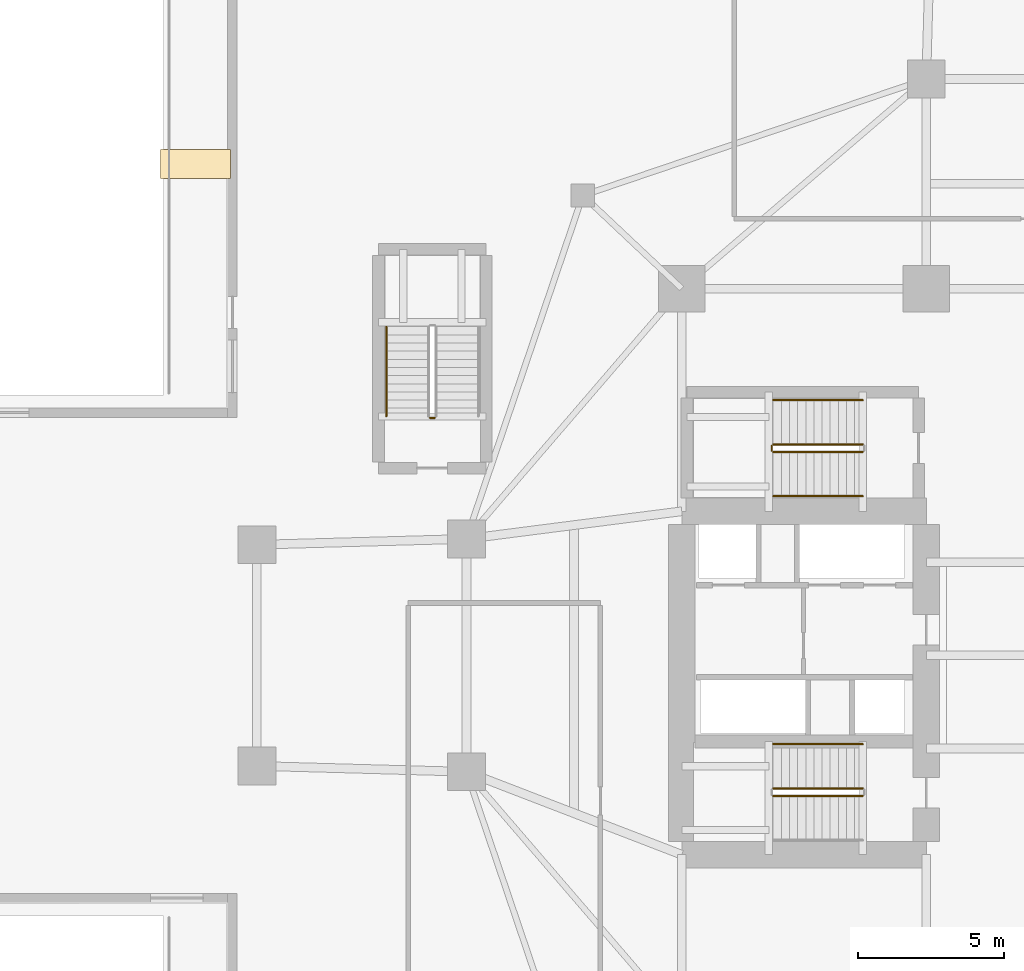
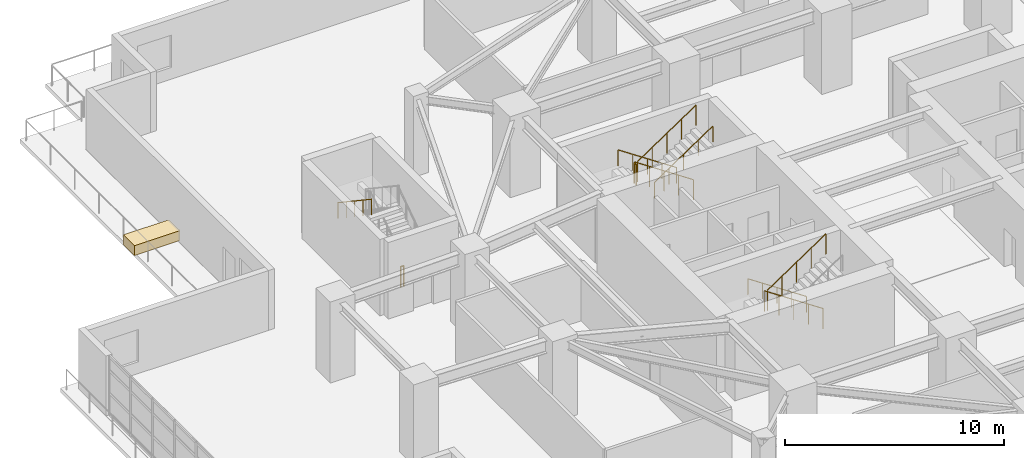
# One storey, part 20 of 23: 10 railings, 1 covering.
"""IFC4 building model written with IfcOpenShell, lengths in metres."""

import ifcopenshell
import ifcopenshell.guid

model = None  # the IFC model being written
_history = None  # IfcOwnerHistory: only IFC2X3 demands one
_inside = {}  # id of a spatial element -> (the spatial element, [elements in it])
_under = {}  # id of a project, library or spatial element -> (it, [spatial elements below it])
_declared = {}  # id of a project -> (the project, [libraries it declares])
_typed = {}  # id of a type object -> (the type object, [elements of that type])
_made_of = {}  # id of a material, layer set ... -> (it, [elements and type objects made of it])


def new_model(schema):
    """Start an empty IFC model of exactly this schema.

    Asked for "IFC4X3", IfcOpenShell would pick the latest addendum, in which some entities
    have other attributes; the version numbers below select the first issue.
    IFC2X3 requires an IfcOwnerHistory on every rooted entity: one is made here for all.
    """
    global model, _history
    if schema == "IFC4X3":
        model = ifcopenshell.file(schema_version=(4, 3, 0, 0))
    else:
        model = ifcopenshell.file(schema=schema)
    _inside.clear()
    _under.clear()
    _declared.clear()
    _typed.clear()
    _made_of.clear()
    _history = None
    if model.schema == "IFC2X3":
        org = make("IfcOrganization", Name="unknown")
        user = make(
            "IfcPersonAndOrganization",
            ThePerson=make("IfcPerson", FamilyName="unknown"),
            TheOrganization=org,
        )
        app = make(
            "IfcApplication",
            ApplicationDeveloper=org,
            Version="unknown",
            ApplicationFullName="unknown",
            ApplicationIdentifier="unknown",
        )
        _history = make(
            "IfcOwnerHistory",
            OwningUser=user,
            OwningApplication=app,
            ChangeAction="ADDED",
            CreationDate=0,
        )
    return model


def make(cls, **values):
    """One entity of the class cls with the attributes given. An attribute that is None is left unset."""
    return model.create_entity(
        cls, **{name: value for name, value in values.items() if value is not None}
    )


def rooted(cls, **values):
    """An entity with a GlobalId (a new one), such as an element, a storey or a relation."""
    return make(cls, GlobalId=ifcopenshell.guid.new(), OwnerHistory=_history, **values)


def si_unit(unit_type, name, prefix=None):
    """IfcSIUnit, for example si_unit("LENGTHUNIT", "METRE", prefix="MILLI")."""
    return make("IfcSIUnit", UnitType=unit_type, Prefix=prefix, Name=name)


def assignment(units):
    """IfcUnitAssignment: the units of a project."""
    return None if units is None else make("IfcUnitAssignment", Units=units)


def point(xyz):
    """IfcCartesianPoint."""
    return None if xyz is None else make("IfcCartesianPoint", Coordinates=xyz)


def direction(xyz):
    """IfcDirection."""
    return None if xyz is None else make("IfcDirection", DirectionRatios=xyz)


def frame(location, z_axis=None, x_axis=None):
    """IfcAxis2Placement3D, a coordinate frame: its origin and axes. An axis left out is left unset."""
    return make(
        "IfcAxis2Placement3D",
        Location=point(location),
        Axis=direction(z_axis),
        RefDirection=direction(x_axis),
    )


def frame_2d(location, x_axis=None):
    """IfcAxis2Placement2D, a coordinate frame in the plane: its origin and x axis."""
    return make(
        "IfcAxis2Placement2D", Location=point(location), RefDirection=direction(x_axis)
    )


def origin():
    """The frame at (0, 0, 0) with its axes left unset."""
    return frame((0.0, 0.0, 0.0))


def origin_2d():
    """The frame at (0, 0) in the plane with its x axis left unset."""
    return frame_2d((0.0, 0.0))


def place(relative_to, where):
    """IfcLocalPlacement: puts the frame where relative to a parent placement (None: the world)."""
    return make(
        "IfcLocalPlacement", PlacementRelTo=relative_to, RelativePlacement=where
    )


def context(
    kind, dimensions, precision=None, world=None, true_north=None, identifier=None
):
    """IfcGeometricRepresentationContext, for example the 3D "Model" context."""
    return make(
        "IfcGeometricRepresentationContext",
        ContextIdentifier=identifier,
        ContextType=kind,
        CoordinateSpaceDimension=dimensions,
        Precision=precision,
        WorldCoordinateSystem=world,
        TrueNorth=true_north,
    )


def subcontext(parent, identifier, kind, view, scale=None):
    """IfcGeometricRepresentationSubContext, for example "Body" below "Model"."""
    return make(
        "IfcGeometricRepresentationSubContext",
        ContextIdentifier=identifier,
        ContextType=kind,
        ParentContext=parent,
        TargetScale=scale,
        TargetView=view,
    )


def project(units=None, contexts=None):
    """IfcProject with its units and contexts."""
    return rooted(
        "IfcProject",
        Name="project",
        RepresentationContexts=contexts,
        UnitsInContext=assignment(units),
    )


def spatial(cls, under=None, at=None, **own):
    """A site, building, storey or space (cls), placed at a placement, below another one or the project."""
    s = rooted(cls, ObjectPlacement=at, **own)
    if under is not None:
        _under.setdefault(under.id(), (under, []))[1].append(s)
    return s


def profile(cls, at=None, kind="AREA", **sizes):
    """A parametric profile (cls). Its sizes go by their IFC names, for example OverallWidth=200.0."""
    return make(cls, ProfileType=kind, Position=at, **sizes)


def rectangle(**sizes):
    """IfcRectangleProfileDef."""
    return profile("IfcRectangleProfileDef", **sizes)


def circle(**sizes):
    """IfcCircleProfileDef."""
    return profile("IfcCircleProfileDef", **sizes)


def extrude(swept, where, along, depth):
    """IfcExtrudedAreaSolid: the profile swept, set in the frame where, extruded along a direction by depth."""
    return make(
        "IfcExtrudedAreaSolid",
        SweptArea=swept,
        Position=where,
        ExtrudedDirection=direction(along),
        Depth=depth,
    )


def shape(context_of_items, identifier, shape_type, items):
    """IfcShapeRepresentation: the items that make up one representation, for example the "Body"."""
    return make(
        "IfcShapeRepresentation",
        ContextOfItems=context_of_items,
        RepresentationIdentifier=identifier,
        RepresentationType=shape_type,
        Items=items,
    )


def material(Name=None, Category=None):
    """IfcMaterial."""
    return make("IfcMaterial", Name=Name, Category=Category)


def layer(
    of_material, thickness, ventilated=None, Name=None, Category=None, Priority=None
):
    """IfcMaterialLayer: one layer of a wall or slab, of a material (None: an air gap)."""
    return make(
        "IfcMaterialLayer",
        Material=of_material,
        LayerThickness=thickness,
        IsVentilated=ventilated,
        Name=Name,
        Category=Category,
        Priority=Priority,
    )


def layer_set(layers, Name=None):
    """IfcMaterialLayerSet."""
    return make("IfcMaterialLayerSet", MaterialLayers=layers, LayerSetName=Name)


def made_of(thing, what):
    """Note that an element or type object is made of a material, layer set ...; save() writes the relation."""
    if what is not None:
        _made_of.setdefault(what.id(), (what, []))[1].append(thing)
    return thing


def type_object(cls, material=None, **own):
    """A type object (cls), such as IfcWallType, which elements share."""
    return made_of(rooted(cls, **own), material)


def element(
    cls,
    number,
    at=None,
    inside=None,
    cuts=None,
    type_object=None,
    material=None,
    context=None,
    identifier="Body",
    shape_type=None,
    held_by="IfcProductDefinitionShape",
    body=None,
    shapes=None,
    **own,
):
    """One element of the class cls, such as IfcWall. Its Tag is "e" and its number.

    at: its placement. inside: the storey or other place that contains it. cuts: it is an
    opening in that element (IfcRelVoidsElement). A single representation is given by context,
    identifier, shape_type and body (its items); several are given by shapes. held_by: the class
    of the entity that holds the representations. save() writes the other relations.
    """
    e = rooted(cls, Tag="e%d" % number, ObjectPlacement=at, **own)
    if body is not None:
        shapes = [shape(context, identifier, shape_type, body)]
    if shapes is not None:
        e.Representation = make(held_by, Representations=shapes)
    if inside is not None:
        _inside.setdefault(inside.id(), (inside, []))[1].append(e)
    if cuts is not None:
        rooted(
            "IfcRelVoidsElement", RelatingBuildingElement=cuts, RelatedOpeningElement=e
        )
    if type_object is not None:
        _typed.setdefault(type_object.id(), (type_object, []))[1].append(e)
    return made_of(e, material)


def aggregate(whole, parts):
    """IfcRelAggregates: a whole, such as a stair, and the parts it consists of."""
    return rooted("IfcRelAggregates", RelatingObject=whole, RelatedObjects=parts)


def save(model, path):
    """Write the relations noted so far, then the file.

    IfcRelAggregates (storeys below a building ...), IfcRelContainedInSpatialStructure (elements
    in a storey), IfcRelDefinesByType, IfcRelAssociatesMaterial and IfcRelDeclares: one each for
    every whole, place, type object, material and project.
    """
    for whole, parts in _under.values():
        aggregate(whole, parts)
    for where, things in _inside.values():
        rooted(
            "IfcRelContainedInSpatialStructure",
            RelatedElements=things,
            RelatingStructure=where,
        )
    for kind, things in _typed.values():
        rooted("IfcRelDefinesByType", RelatedObjects=things, RelatingType=kind)
    for what, things in _made_of.values():
        rooted("IfcRelAssociatesMaterial", RelatedObjects=things, RelatingMaterial=what)
    for by, libraries in _declared.values():
        rooted("IfcRelDeclares", RelatingContext=by, RelatedDefinitions=libraries)
    model.write(path)


model = new_model("IFC4")

# Units and contexts
model_context = context("Model", 3, precision=1e-05, world=origin(), true_north=direction((0.0, 1.0)))
body_context = subcontext(model_context, "Body", "Model", "MODEL_VIEW")
ifc_project = project(units=[si_unit("LENGTHUNIT", "METRE"), si_unit("AREAUNIT", "SQUARE_METRE"), si_unit("VOLUMEUNIT", "CUBIC_METRE"), si_unit("PLANEANGLEUNIT", "RADIAN"), si_unit("MASSUNIT", "GRAM", prefix="KILO")], contexts=[model_context])

# Site, building, storey
site_placement = place(None, origin())
site = spatial("IfcSite", under=ifc_project, at=site_placement, CompositionType="ELEMENT")
building_placement = place(site_placement, origin())
building = spatial("IfcBuilding", under=site, at=building_placement, Name="Qingluan Cross Belvedere", CompositionType="ELEMENT")
storey_placement = place(building_placement, frame((0.0, 0.0, 10.199951171875)))
storey = spatial("IfcBuildingStorey", under=building, at=storey_placement, Name="L03", CompositionType="ELEMENT", Elevation=10.199951171875)

# Railings
ifc_material_1 = material(Name="Brushed stainless steel tubular handrail", Category="steel")
railing_type_1 = type_object("IfcRailingType", Name="StairPitchHandrail_900", PredefinedType="HANDRAIL", material=ifc_material_1)
for number, where, name in (
    (1, (-6.179931640625, -3.050048828125, 0.1875), "L03 ST1 stair handrail 1"),
    (2, (-6.179931640625, 8.77001953125, 0.1875), "L03 ST3 stair handrail 1"),
):
    element("IfcRailing", number, at=place(storey_placement, frame(where)), inside=storey, type_object=railing_type_1, Name=name, PredefinedType="HANDRAIL", context=body_context, shape_type="SweptSolid", body=[
        extrude(circle(Radius=0.02392578125, at=origin_2d()), frame((0.0, 0.0, 0.8759765625), z_axis=(-0.830913701846, 0.0, 0.55640131208), x_axis=(0.0, -1.0, 0.0)), (0.0, 0.0, 1.0), 3.706787109375),
        extrude(circle(Radius=0.02099609375, at=origin_2d()), origin(), (0.0, 0.0, 1.0), 0.851806640625),
        extrude(circle(Radius=0.02099609375, at=origin_2d()), frame((-0.77001953125, 0.0, 0.515625)), (0.0, 0.0, 1.0), 0.851806640625),
        extrude(circle(Radius=0.02099609375, at=origin_2d()), frame((-1.5400390625, 0.0, 1.03125)), (0.0, 0.0, 1.0), 0.851806640625),
        extrude(circle(Radius=0.02099609375, at=origin_2d()), frame((-2.31005859375, 0.0, 1.546875)), (0.0, 0.0, 1.0), 0.851806640625),
        extrude(circle(Radius=0.02099609375, at=origin_2d()), frame((-3.080078125, 0.0, 2.0625)), (0.0, 0.0, 1.0), 0.851806640625),
    ])
railing_1_placement = place(storey_placement, frame((-9.260009765625, 5.469970703125, 2.4375)))
element("IfcRailing", 3, at=railing_1_placement, inside=storey, type_object=railing_type_1, Name="L03 ST3 stair handrail 2", PredefinedType="HANDRAIL", context=body_context, shape_type="SweptSolid", body=[
    extrude(circle(Radius=0.02392578125, at=origin_2d()), frame((0.0, 0.0, 0.8759765625), z_axis=(0.830913701846, 0.0, 0.55640131208), x_axis=(0.0, 1.0, 0.0)), (0.0, 0.0, 1.0), 3.706787109375),
    extrude(circle(Radius=0.02099609375, at=origin_2d()), origin(), (0.0, 0.0, 1.0), 0.851806640625),
    extrude(circle(Radius=0.02099609375, at=origin_2d()), frame((0.77001953125, 0.0, 0.515625)), (0.0, 0.0, 1.0), 0.851806640625),
    extrude(circle(Radius=0.02099609375, at=origin_2d()), frame((1.5400390625, 0.0, 1.03125)), (0.0, 0.0, 1.0), 0.851806640625),
    extrude(circle(Radius=0.02099609375, at=origin_2d()), frame((2.31005859375, 0.0, 1.546875)), (0.0, 0.0, 1.0), 0.851806640625),
    extrude(circle(Radius=0.02099609375, at=origin_2d()), frame((3.080078125, 0.0, 2.0625)), (0.0, 0.0, 1.0), 0.851806640625),
])
railing_2_placement = place(storey_placement, frame((-22.550048828125, 11.2900390625, 2.4375)))
element("IfcRailing", 4, at=railing_2_placement, inside=storey, type_object=railing_type_1, Name="L03 ST5 stair handrail 2", PredefinedType="HANDRAIL", context=body_context, shape_type="SweptSolid", body=[
    extrude(circle(Radius=0.02392578125, at=origin_2d()), frame((0.0, 0.0, 0.8759765625), z_axis=(0.0, -0.830913701846, 0.55640131208), x_axis=(1.0, 0.0, 0.0)), (0.0, 0.0, 1.0), 3.706787109375),
    extrude(circle(Radius=0.02099609375, at=origin_2d()), origin(), (0.0, 0.0, 1.0), 0.851806640625),
    extrude(circle(Radius=0.02099609375, at=origin_2d()), frame((0.0, -0.77001953125, 0.515625)), (0.0, 0.0, 1.0), 0.851806640625),
    extrude(circle(Radius=0.02099609375, at=origin_2d()), frame((0.0, -1.5400390625, 1.03125)), (0.0, 0.0, 1.0), 0.851806640625),
    extrude(circle(Radius=0.02099609375, at=origin_2d()), frame((0.0, -2.31005859375, 1.546875)), (0.0, 0.0, 1.0), 0.851806640625),
    extrude(circle(Radius=0.02099609375, at=origin_2d()), frame((0.0, -3.080078125, 2.0625)), (0.0, 0.0, 1.0), 0.851806640625),
])
ifc_material_2 = material(Name="Painted steel stair well guard", Category="steel")
railing_type_2 = type_object("IfcRailingType", Name="StairWellGuard_1150", PredefinedType="BALUSTRADE", material=ifc_material_2)
railing_3_placement = place(storey_placement, frame((-6.179931640625, -4.570068359375, 0.1875)))
element("IfcRailing", 5, at=railing_3_placement, inside=storey, type_object=railing_type_2, Name="L03 ST1 stair guard 1", PredefinedType="BALUSTRADE", context=body_context, shape_type="SweptSolid", body=[
    extrude(circle(Radius=0.02392578125, at=origin_2d()), frame((0.0, 0.0, 1.1259765625), z_axis=(-0.830913701846, 0.0, 0.55640131208), x_axis=(0.0, -1.0, 0.0)), (0.0, 0.0, 1.0), 3.706787109375),
    extrude(circle(Radius=0.02099609375, at=origin_2d()), origin(), (0.0, 0.0, 1.0), 1.101806640625),
    extrude(circle(Radius=0.02099609375, at=origin_2d()), frame((-0.77001953125, 0.0, 0.515625)), (0.0, 0.0, 1.0), 1.101806640625),
    extrude(circle(Radius=0.02099609375, at=origin_2d()), frame((-1.5400390625, 0.0, 1.03125)), (0.0, 0.0, 1.0), 1.101806640625),
    extrude(circle(Radius=0.02099609375, at=origin_2d()), frame((-2.31005859375, 0.0, 1.546875)), (0.0, 0.0, 1.0), 1.101806640625),
    extrude(circle(Radius=0.02099609375, at=origin_2d()), frame((-3.080078125, 0.0, 2.0625)), (0.0, 0.0, 1.0), 1.101806640625),
])
railing_4_placement = place(storey_placement, frame((-9.260009765625, -4.830078125, 2.4375)))
element("IfcRailing", 6, at=railing_4_placement, inside=storey, type_object=railing_type_2, Name="L03 ST1 stair guard 3", PredefinedType="BALUSTRADE", context=body_context, shape_type="SweptSolid", body=[
    extrude(circle(Radius=0.02392578125, at=origin_2d()), frame((0.0, 0.0, 1.1259765625), z_axis=(0.830913701846, 0.0, 0.55640131208), x_axis=(0.0, 1.0, 0.0)), (0.0, 0.0, 1.0), 3.706787109375),
    extrude(circle(Radius=0.02099609375, at=origin_2d()), origin(), (0.0, 0.0, 1.0), 1.101806640625),
    extrude(circle(Radius=0.02099609375, at=origin_2d()), frame((0.77001953125, 0.0, 0.515625)), (0.0, 0.0, 1.0), 1.101806640625),
    extrude(circle(Radius=0.02099609375, at=origin_2d()), frame((1.5400390625, 0.0, 1.03125)), (0.0, 0.0, 1.0), 1.101806640625),
    extrude(circle(Radius=0.02099609375, at=origin_2d()), frame((2.31005859375, 0.0, 1.546875)), (0.0, 0.0, 1.0), 1.101806640625),
    extrude(circle(Radius=0.02099609375, at=origin_2d()), frame((3.080078125, 0.0, 2.0625)), (0.0, 0.0, 1.0), 1.101806640625),
])
railing_5_placement = place(storey_placement, frame((-6.179931640625, 7.25, 0.1875)))
element("IfcRailing", 7, at=railing_5_placement, inside=storey, type_object=railing_type_2, Name="L03 ST3 stair guard 1", PredefinedType="BALUSTRADE", context=body_context, shape_type="SweptSolid", body=[
    extrude(circle(Radius=0.02392578125, at=origin_2d()), frame((0.0, 0.0, 1.1259765625), z_axis=(-0.830913701846, 0.0, 0.55640131208), x_axis=(0.0, -1.0, 0.0)), (0.0, 0.0, 1.0), 3.706787109375),
    extrude(circle(Radius=0.02099609375, at=origin_2d()), origin(), (0.0, 0.0, 1.0), 1.101806640625),
    extrude(circle(Radius=0.02099609375, at=origin_2d()), frame((-0.77001953125, 0.0, 0.515625)), (0.0, 0.0, 1.0), 1.101806640625),
    extrude(circle(Radius=0.02099609375, at=origin_2d()), frame((-1.5400390625, 0.0, 1.03125)), (0.0, 0.0, 1.0), 1.101806640625),
    extrude(circle(Radius=0.02099609375, at=origin_2d()), frame((-2.31005859375, 0.0, 1.546875)), (0.0, 0.0, 1.0), 1.101806640625),
    extrude(circle(Radius=0.02099609375, at=origin_2d()), frame((-3.080078125, 0.0, 2.0625)), (0.0, 0.0, 1.0), 1.101806640625),
])
railing_6_placement = place(storey_placement, frame((-9.31005859375, 7.199951171875, 2.25)))
element("IfcRailing", 8, at=railing_6_placement, inside=storey, type_object=railing_type_2, Name="L03 ST3 stair guard 2", PredefinedType="BALUSTRADE", context=body_context, shape_type="SweptSolid", body=[
    extrude(circle(Radius=0.02392578125, at=origin_2d()), frame((0.0, 0.0, 1.1259765625), z_axis=(0.0, -1.0, 0.0), x_axis=(1.0, 0.0, 0.0)), (0.0, 0.0, 1.0), 0.159912109375),
    extrude(circle(Radius=0.02099609375, at=origin_2d()), origin(), (0.0, 0.0, 1.0), 1.101806640625),
    extrude(circle(Radius=0.02099609375, at=origin_2d()), frame((0.0, -0.159912109375, 0.0)), (0.0, 0.0, 1.0), 1.101806640625),
])
railing_7_placement = place(storey_placement, frame((-9.260009765625, 6.989990234375, 2.4375)))
element("IfcRailing", 9, at=railing_7_placement, inside=storey, type_object=railing_type_2, Name="L03 ST3 stair guard 3", PredefinedType="BALUSTRADE", context=body_context, shape_type="SweptSolid", body=[
    extrude(circle(Radius=0.02392578125, at=origin_2d()), frame((0.0, 0.0, 1.1259765625), z_axis=(0.830913701846, 0.0, 0.55640131208), x_axis=(0.0, 1.0, 0.0)), (0.0, 0.0, 1.0), 3.706787109375),
    extrude(circle(Radius=0.02099609375, at=origin_2d()), origin(), (0.0, 0.0, 1.0), 1.101806640625),
    extrude(circle(Radius=0.02099609375, at=origin_2d()), frame((0.77001953125, 0.0, 0.515625)), (0.0, 0.0, 1.0), 1.101806640625),
    extrude(circle(Radius=0.02099609375, at=origin_2d()), frame((1.5400390625, 0.0, 1.03125)), (0.0, 0.0, 1.0), 1.101806640625),
    extrude(circle(Radius=0.02099609375, at=origin_2d()), frame((2.31005859375, 0.0, 1.546875)), (0.0, 0.0, 1.0), 1.101806640625),
    extrude(circle(Radius=0.02099609375, at=origin_2d()), frame((3.080078125, 0.0, 2.0625)), (0.0, 0.0, 1.0), 1.101806640625),
])
railing_8_placement = place(storey_placement, frame((-20.889892578125, 8.159912109375, 0.0)))
element("IfcRailing", 10, at=railing_8_placement, inside=storey, type_object=railing_type_2, Name="L03 ST5 stair guard 4", PredefinedType="BALUSTRADE", context=body_context, shape_type="SweptSolid", body=[
    extrude(circle(Radius=0.02392578125, at=origin_2d()), frame((0.0, 0.0, 1.1259765625), z_axis=(-1.0, 0.0, 0.0), x_axis=(0.0, -1.0, 0.0)), (0.0, 0.0, 1.0), 0.16015625),
    extrude(circle(Radius=0.02099609375, at=origin_2d()), origin(), (0.0, 0.0, 1.0), 1.101806640625),
    extrude(circle(Radius=0.02099609375, at=origin_2d()), frame((-0.16015625, 0.0, 0.0)), (0.0, 0.0, 1.0), 1.101806640625),
])

# Covering
ifc_material_3 = material(Name="Precast concrete C40", Category="concrete")
ifc_layer = layer(ifc_material_3, 0.550048828125, Name="TerracePlanterBox")
ifc_layer_set = layer_set([ifc_layer], Name="Precast concrete C40")
covering_type = type_object("IfcCoveringType", Name="TerracePlanterBox", PredefinedType="USERDEFINED", material=ifc_layer_set)
covering_placement = place(storey_placement, frame((-29.10791015625, 16.882080078125, 0.0), z_axis=(0.0, 0.0, 1.0), x_axis=(1.0, 0.0, 0.0)))
element("IfcCovering", 11, at=covering_placement, inside=storey, type_object=covering_type, Name="Cascading garden terrace planter L03-2", ObjectType="PLANTER", PredefinedType="USERDEFINED", context=body_context, shape_type="SweptSolid", body=[
    extrude(rectangle(XDim=2.39990234375, YDim=1.0, at=origin_2d()), origin(), (0.0, 0.0, 1.0), 0.550048828125),
])

save(model, "model.ifc")
